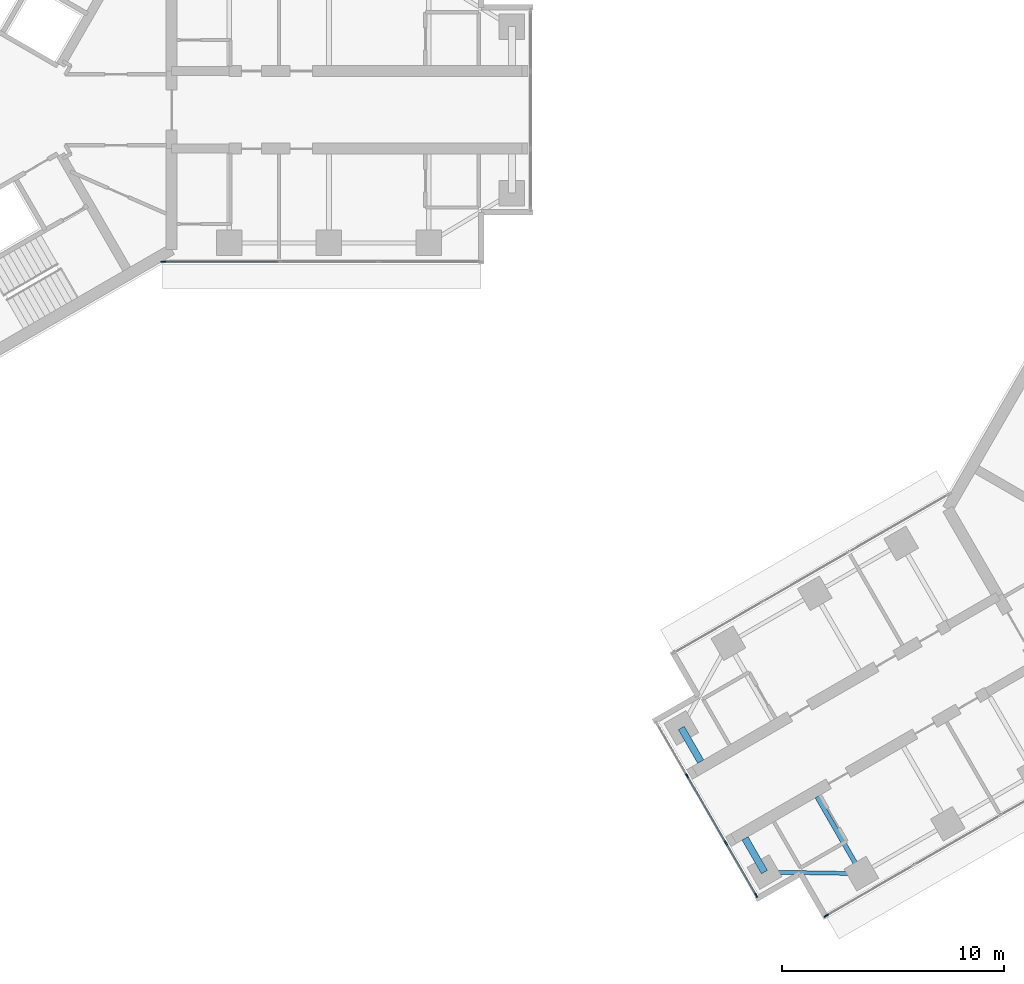
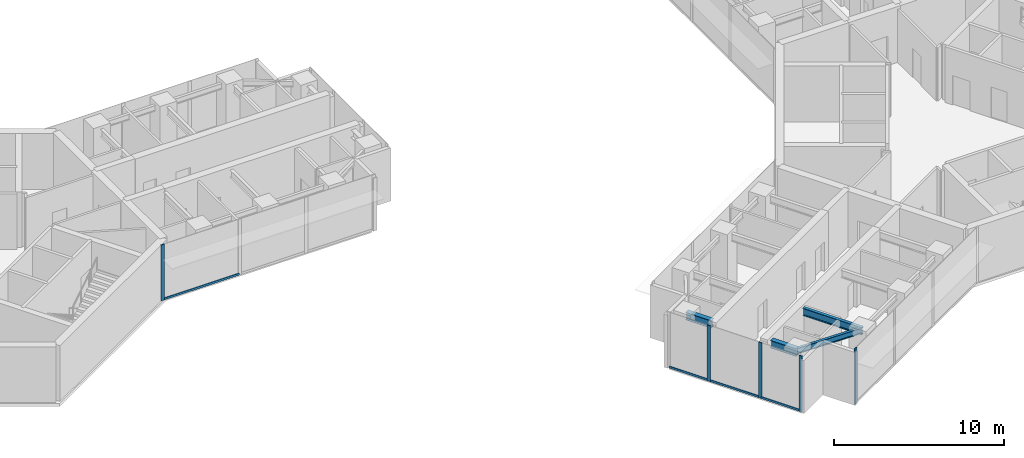
# One storey, part 2 of 17: 9 members, 4 beams, 3 elements without a shape of their own.
"""IFC4 building model written with IfcOpenShell, lengths in metres."""

from ifc_helpers import new_model, si_unit, direction, frame, origin, origin_2d, place, context, subcontext, project, spatial, rectangle, i_section, extrude, material, material_profile, profile_set, type_object, element, aggregate, save


model = new_model("IFC4")

# Units and contexts
model_context = context("Model", 3, precision=1e-05, world=origin(), true_north=direction((0.0, 1.0)))
body_context = subcontext(model_context, "Body", "Model", "MODEL_VIEW")
ifc_project = project(units=[si_unit("LENGTHUNIT", "METRE"), si_unit("AREAUNIT", "SQUARE_METRE"), si_unit("VOLUMEUNIT", "CUBIC_METRE"), si_unit("PLANEANGLEUNIT", "RADIAN"), si_unit("MASSUNIT", "GRAM", prefix="KILO")], contexts=[model_context])

# Site, building, storey
site_placement = place(None, origin())
site = spatial("IfcSite", under=ifc_project, at=site_placement, CompositionType="ELEMENT")
building_placement = place(site_placement, origin())
building = spatial("IfcBuilding", under=site, at=building_placement, Name="Upepo Twin Towers", CompositionType="ELEMENT")
storey_placement = place(building_placement, frame((0.0, 0.0, 198.5)))
storey = spatial("IfcBuildingStorey", under=building, at=storey_placement, Name="L48", CompositionType="ELEMENT", Elevation=198.5)

# Beams
ifc_material_1 = material(Name="Steel S355", Category="steel")
ifc_material_profile_1 = material_profile(ifc_material_1, i_section(OverallWidth=0.177978515625, OverallDepth=0.406494140625, WebThickness=0.0078125, FlangeThickness=0.0126953125, FilletRadius=0.01025390625, at=origin_2d()), Name="UB 406x178x60")
ifc_profile_set_1 = profile_set([ifc_material_profile_1], Name="Steel S355")
beam_type_1 = type_object("IfcBeamType", Name="Beam UB 406x178x60", PredefinedType="BEAM", material=ifc_profile_set_1)
beam_1_placement = place(storey_placement, frame((42.014404296875, -34.446044921875, 3.5966796875), z_axis=(-0.999858804832, 0.016803880528, 0.0), x_axis=(-0.016803880528, -0.999858804832, 0.0)))
element("IfcBeam", 1, at=beam_1_placement, inside=storey, type_object=beam_type_1, Name="T2 nose edge beam BL", PredefinedType="BEAM", context=body_context, shape_type="SweptSolid", body=[
    extrude(i_section(OverallWidth=0.177978515625, OverallDepth=0.406494140625, WebThickness=0.0078125, FlangeThickness=0.0126953125, FilletRadius=0.01025390625, at=origin_2d()), origin(), (0.0, 0.0, 1.0), 4.373291015625),
])
ifc_material_2 = material(Name="Steel S355", Category="steel")
ifc_material_profile_2 = material_profile(ifc_material_2, i_section(OverallWidth=0.209228515625, OverallDepth=0.533203125, WebThickness=0.010009765625, FlangeThickness=0.015625, FilletRadius=0.0126953125, at=origin_2d()), Name="UB 533x210x92")
ifc_profile_set_2 = profile_set([ifc_material_profile_2], Name="Steel S355")
beam_type_2 = type_object("IfcBeamType", Name="Beam UB 533x210x92", PredefinedType="BEAM", material=ifc_profile_set_2)
beam_2_placement = place(storey_placement, frame((42.014404296875, -34.446044921875, 3.533447265625), z_axis=(-0.49999894854, 0.866026010844, 0.0), x_axis=(-0.866026010844, -0.49999894854, 0.0)))
element("IfcBeam", 2, at=beam_2_placement, inside=storey, type_object=beam_type_2, Name="T2 girder BL at 22.5", PredefinedType="BEAM", context=body_context, shape_type="SweptSolid", body=[
    extrude(i_section(OverallWidth=0.209228515625, OverallDepth=0.533203125, WebThickness=0.010009765625, FlangeThickness=0.015625, FilletRadius=0.0126953125, at=origin_2d()), origin(), (0.0, 0.0, 1.0), 4.0),
])
ifc_material_3 = material(Name="Steel S355", Category="steel")
ifc_material_profile_3 = material_profile(ifc_material_3, i_section(OverallWidth=0.31201171875, OverallDepth=0.54345703125, WebThickness=0.0126953125, FlangeThickness=0.020263671875, FilletRadius=0.0126953125, at=origin_2d()), Name="UB 533x312x150")
ifc_profile_set_3 = profile_set([ifc_material_profile_3], Name="Steel S355")
beam_type_3 = type_object("IfcBeamType", Name="Beam UB 533x312x150", PredefinedType="BEAM", material=ifc_profile_set_3)
for number, where, z_axis, x_axis, name in (
    (3, (37.641845703125, -34.37255859375, 3.5283203125), (-0.499980071345, 0.866036909293, 0.0), (-0.866036909293, -0.499980071345, 0.0), "T2 nose beam BL"),
    (4, (33.891845703125, -27.87744140625, 3.5283203125), (0.499980071345, -0.866036909293, 0.0), (0.866036909293, 0.499980071345, 0.0), "T2 nose beam BR"),
):
    element("IfcBeam", number, at=place(storey_placement, frame(where, z_axis=z_axis, x_axis=x_axis)), inside=storey, type_object=beam_type_3, Name=name, PredefinedType="BEAM", context=body_context, shape_type="SweptSolid", body=[
        extrude(i_section(OverallWidth=0.31201171875, OverallDepth=0.54345703125, WebThickness=0.0126953125, FlangeThickness=0.020263671875, FilletRadius=0.0126953125, at=origin_2d()), origin(), (0.0, 0.0, 1.0), 1.75),
    ])

# Curtain wall, member
ifc_material_4 = material(Name="Aluminium and fritted glass", Category="aluminium")
curtain_wall_type = type_object("IfcCurtainWallType", Name="Tower curtain wall TW3, fritted glass", PredefinedType="NOTDEFINED", material=ifc_material_4)
curtain_wall_1_placement = place(storey_placement, origin())
curtain_wall_1 = element("IfcCurtainWall", 5, at=curtain_wall_1_placement, inside=storey, type_object=curtain_wall_type, Name="T1 L48 wing A flank R curtain wall", PredefinedType="NOTDEFINED")
ifc_material_5 = material(Name="Aluminium mullion", Category="aluminium")
ifc_material_profile_4 = material_profile(ifc_material_5, rectangle(XDim=0.06494140625, YDim=0.22509765625, at=origin_2d()), Name="MULLION 65x225")
ifc_profile_set_4 = profile_set([ifc_material_profile_4], Name="Aluminium mullion")
member_type_1 = type_object("IfcMemberType", Name="Mullion 65x225 TW3", PredefinedType="MULLION", material=ifc_profile_set_4)
member_1_placement = place(storey_placement, frame((10.51953125, -6.85009765625, 0.0), z_axis=(0.0, 0.0, 1.0), x_axis=(0.0, -1.0, 0.0)))
member_1 = element("IfcMember", 6, at=member_1_placement, type_object=member_type_1, Name="T1 L48 wing A flank R curtain wall mullion 4", PredefinedType="MULLION", context=body_context, shape_type="SweptSolid", body=[
    extrude(rectangle(XDim=0.06494140625, YDim=0.22509765625, at=origin_2d()), origin(), (0.0, 0.0, 1.0), 4.0),
])

curtain_wall_2_placement = place(storey_placement, origin())
curtain_wall_2 = element("IfcCurtainWall", 7, at=curtain_wall_2_placement, inside=storey, type_object=curtain_wall_type, Name="T2 L48 wing B flank L curtain wall", PredefinedType="NOTDEFINED")
member_2_placement = place(storey_placement, frame((40.432373046875, -36.341064453125, 0.0), z_axis=(0.0, 0.0, 1.0), x_axis=(0.500000026527, -0.866025388469, 0.0)))
member_2 = element("IfcMember", 8, at=member_2_placement, type_object=member_type_1, Name="T2 L48 wing B flank L curtain wall mullion 4", PredefinedType="MULLION", context=body_context, shape_type="SweptSolid", body=[
    extrude(rectangle(XDim=0.06494140625, YDim=0.22509765625, at=origin_2d()), origin(), (0.0, 0.0, 1.0), 4.0),
])
aggregate(curtain_wall_2, [member_2])

# Curtain wall, members
curtain_wall_3_placement = place(storey_placement, origin())
curtain_wall_3 = element("IfcCurtainWall", 9, at=curtain_wall_3_placement, inside=storey, type_object=curtain_wall_type, Name="T2 L48 wing B nose curtain wall", PredefinedType="NOTDEFINED")
member_3_placement = place(storey_placement, frame((34.15576171875, -30.034423828125, 0.0), z_axis=(0.0, 0.0, 1.0), x_axis=(0.866025386174, 0.500000030502, 0.0)))
member_3 = element("IfcMember", 10, at=member_3_placement, type_object=member_type_1, Name="T2 L48 wing B nose curtain wall mullion 2", PredefinedType="MULLION", context=body_context, shape_type="SweptSolid", body=[
    extrude(rectangle(XDim=0.06494140625, YDim=0.22509765625, at=origin_2d()), origin(), (0.0, 0.0, 1.0), 4.0),
])
member_4_placement = place(storey_placement, frame((35.90576171875, -33.0654296875, 0.0), z_axis=(0.0, 0.0, 1.0), x_axis=(0.866025386174, 0.500000030502, 0.0)))
member_4 = element("IfcMember", 11, at=member_4_placement, type_object=member_type_1, Name="T2 L48 wing B nose curtain wall mullion 3", PredefinedType="MULLION", context=body_context, shape_type="SweptSolid", body=[
    extrude(rectangle(XDim=0.06494140625, YDim=0.22509765625, at=origin_2d()), origin(), (0.0, 0.0, 1.0), 4.0),
])
member_5_placement = place(storey_placement, frame((37.264404296875, -35.4189453125, 0.0), z_axis=(0.0, 0.0, 1.0), x_axis=(0.866025386174, 0.500000030502, 0.0)))
member_5 = element("IfcMember", 12, at=member_5_placement, type_object=member_type_1, Name="T2 L48 wing B nose curtain wall mullion 4", PredefinedType="MULLION", context=body_context, shape_type="SweptSolid", body=[
    extrude(rectangle(XDim=0.06494140625, YDim=0.22509765625, at=origin_2d()), origin(), (0.0, 0.0, 1.0), 4.0),
])

# Member
ifc_material_6 = material(Name="Aluminium transom", Category="aluminium")
ifc_material_profile_5 = material_profile(ifc_material_6, rectangle(XDim=0.06494140625, YDim=0.14990234375, at=origin_2d()), Name="TRANSOM 65x150")
ifc_profile_set_5 = profile_set([ifc_material_profile_5], Name="Aluminium transom")
member_type_2 = type_object("IfcMemberType", Name="Transom 65x150 TW3", PredefinedType="USERDEFINED", material=ifc_profile_set_5)
member_6_placement = place(storey_placement, frame((15.717529296875, -6.85009765625, 0.074951171875), z_axis=(-1.0, 0.0, 0.0), x_axis=(0.0, -1.0, 0.0)))
member_6 = element("IfcMember", 13, at=member_6_placement, type_object=member_type_2, Name="T1 L48 wing A flank R curtain wall transom 3", ObjectType="TRANSOM", PredefinedType="USERDEFINED", context=body_context, shape_type="SweptSolid", body=[
    extrude(rectangle(XDim=0.06494140625, YDim=0.14990234375, at=origin_2d()), origin(), (0.0, 0.0, 1.0), 5.16552734375),
])

aggregate(curtain_wall_1, [member_1, member_6])

member_7_placement = place(storey_placement, frame((32.813232421875, -27.709228515625, 0.074951171875), z_axis=(0.499980071345, -0.866036909293, 0.0), x_axis=(0.866036909293, 0.499980071345, 0.0)))
member_7 = element("IfcMember", 14, at=member_7_placement, type_object=member_type_2, Name="T2 L48 wing B nose curtain wall transom 1", ObjectType="TRANSOM", PredefinedType="USERDEFINED", context=body_context, shape_type="SweptSolid", body=[
    extrude(rectangle(XDim=0.06494140625, YDim=0.14990234375, at=origin_2d()), origin(), (0.0, 0.0, 1.0), 2.65234375),
])

member_8_placement = place(storey_placement, frame((34.171875, -30.0625, 0.074951171875), z_axis=(0.499999305434, -0.866025804792, 0.0), x_axis=(0.866025804792, 0.499999305434, 0.0)))
member_8 = element("IfcMember", 15, at=member_8_placement, type_object=member_type_2, Name="T2 L48 wing B nose curtain wall transom 2", ObjectType="TRANSOM", PredefinedType="USERDEFINED", context=body_context, shape_type="SweptSolid", body=[
    extrude(rectangle(XDim=0.06494140625, YDim=0.14990234375, at=origin_2d()), origin(), (0.0, 0.0, 1.0), 3.43505859375),
])

member_9_placement = place(storey_placement, frame((35.921875, -33.09375, 0.074951171875), z_axis=(0.500049101008, -0.865997053448, 0.0), x_axis=(0.865997053448, 0.500049101008, 0.0)))
member_9 = element("IfcMember", 16, at=member_9_placement, type_object=member_type_2, Name="T2 L48 wing B nose curtain wall transom 3", ObjectType="TRANSOM", PredefinedType="USERDEFINED", context=body_context, shape_type="SweptSolid", body=[
    extrude(rectangle(XDim=0.06494140625, YDim=0.14990234375, at=origin_2d()), origin(), (0.0, 0.0, 1.0), 2.652587890625),
])

aggregate(curtain_wall_3, [member_3, member_4, member_5, member_7, member_8, member_9])

save(model, "model.ifc")
